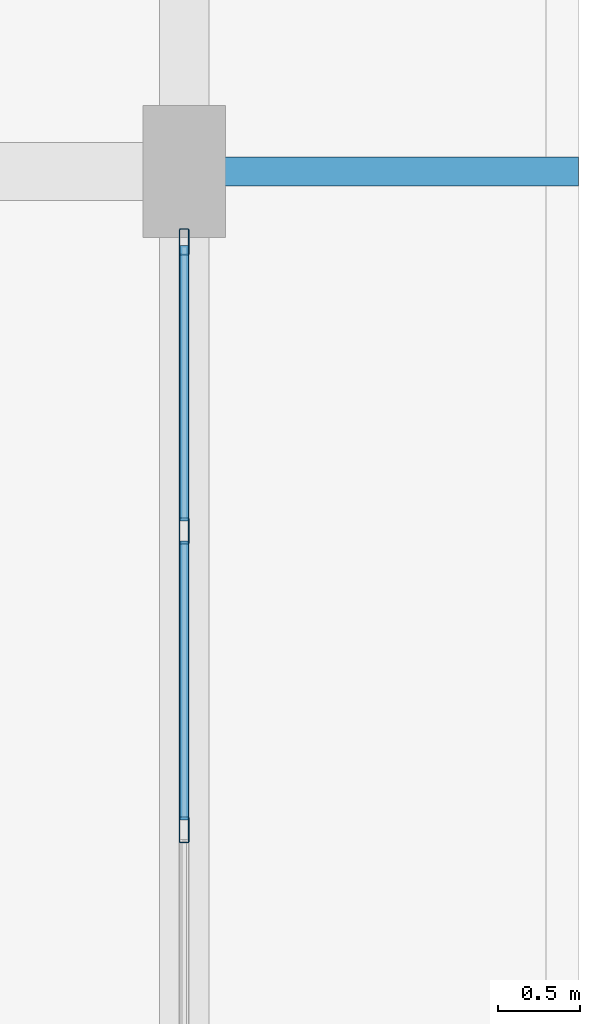
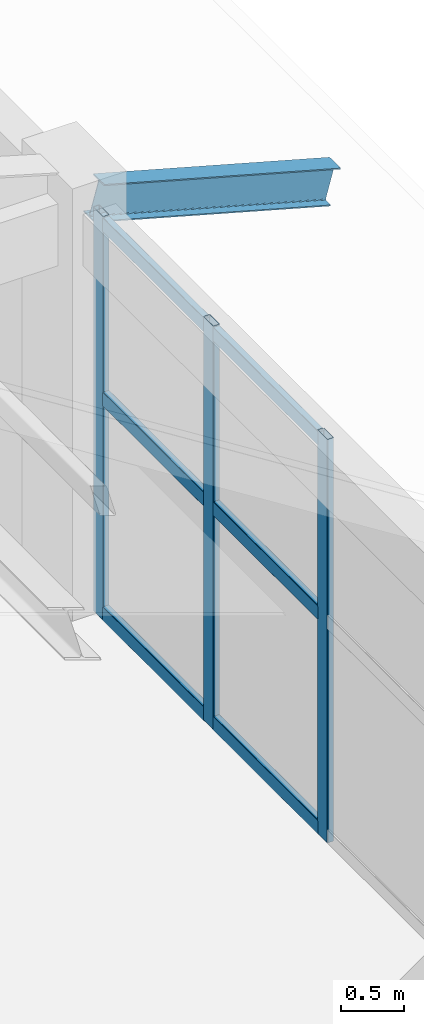
# One storey, part 31 of 58: 9 members, 1 beam, 1 element without a shape of its own.
"""IFC4 building model written with IfcOpenShell, lengths in metres."""

from ifc_helpers import new_model, si_unit, derived_unit, direction, frame, origin, origin_2d, place, context, subcontext, project, spatial, hollow_rectangle, i_section, extrude, material, material_profile, profile_set, type_object, element, aggregate, save


model = new_model("IFC4")

# Units and contexts
model_context = context("Model", 3, precision=1e-05, world=origin(), true_north=direction((0.0, 1.0)))
body_context = subcontext(model_context, "Body", "Model", "MODEL_VIEW")
ifc_project = project(units=[si_unit("LENGTHUNIT", "METRE"), si_unit("AREAUNIT", "SQUARE_METRE"), si_unit("VOLUMEUNIT", "CUBIC_METRE"), si_unit("PLANEANGLEUNIT", "RADIAN"), si_unit("MASSUNIT", "GRAM", prefix="KILO"), derived_unit("THERMALTRANSMITTANCEUNIT", [(si_unit("MASSUNIT", "GRAM", prefix="KILO"), 1), (si_unit("TIMEUNIT", "SECOND"), -3), (si_unit("THERMODYNAMICTEMPERATUREUNIT", "KELVIN"), -1)])], contexts=[model_context])

# Site, building, storey
site_placement = place(None, origin())
site = spatial("IfcSite", under=ifc_project, at=site_placement, CompositionType="ELEMENT")
building_placement = place(site_placement, origin())
building = spatial("IfcBuilding", under=site, at=building_placement, Name="Zhenchuan Archway Interchange", CompositionType="ELEMENT")
storey_placement = place(building_placement, frame((0.0, 0.0, 22.800048828125)))
storey = spatial("IfcBuildingStorey", under=building, at=storey_placement, Name="L05", CompositionType="ELEMENT", Elevation=22.800048828125)

# Beam
ifc_material_1 = material(Name="Steel Q355", Category="steel")
ifc_material_profile_1 = material_profile(ifc_material_1, i_section(OverallWidth=0.175048828125, OverallDepth=0.35009765625, WebThickness=0.007080078125, FlangeThickness=0.010986328125, FilletRadius=0.013916015625, at=origin_2d()), Name="HN 350x175")
ifc_profile_set_1 = profile_set([ifc_material_profile_1], Name="Steel Q355")
beam_type = type_object("IfcBeamType", Name="BM_STL_EAVE_HN350", PredefinedType="BEAM", material=ifc_profile_set_1)
beam_placement = place(storey_placement, frame((171.179931640625, 32.0, 3.719970703125), z_axis=(0.963829493521, 0.0, -0.266519619201), x_axis=(0.0, 1.0, 0.0)))
element("IfcBeam", 1, at=beam_placement, inside=storey, type_object=beam_type, Name="Command wing east storm-eave bracket T2", PredefinedType="BEAM", context=body_context, shape_type="SweptSolid", body=[
    extrude(i_section(OverallWidth=0.175048828125, OverallDepth=0.35009765625, WebThickness=0.007080078125, FlangeThickness=0.010986328125, FilletRadius=0.013916015625, at=origin_2d()), origin(), (0.0, 0.0, 1.0), 2.251708984375),
])

# Curtain wall, members
ifc_material_2 = material(Name="Anodised Aluminium", Category="aluminium")
curtain_wall_type = type_object("IfcCurtainWallType", Name="CW_UNIT_1", PredefinedType="NOTDEFINED", material=ifc_material_2)
curtain_wall_placement = place(storey_placement, origin())
curtain_wall = element("IfcCurtainWall", 2, at=curtain_wall_placement, inside=storey, type_object=curtain_wall_type, Name="Unitised curtain wall CW:L05:208", PredefinedType="NOTDEFINED")
ifc_material_profile_2 = material_profile(ifc_material_2, hollow_rectangle(XDim=0.06005859375, YDim=0.159912109375, WallThickness=0.00390625, InnerFilletRadius=0.00390625, OuterFilletRadius=0.008056640625, at=origin_2d()), Name="ALU 160x60x4")
ifc_profile_set_2 = profile_set([ifc_material_profile_2], Name="Anodised Aluminium")
member_type_1 = type_object("IfcMemberType", Name="CW_MUL_150", PredefinedType="MULLION", material=ifc_profile_set_2)
member_1_placement = place(storey_placement, frame((171.0, 31.572021484375, 0.0), z_axis=(0.0, 0.0, 1.0), x_axis=(1.0, 0.0, 0.0)))
member_1 = element("IfcMember", 3, at=member_1_placement, type_object=member_type_1, Name="CW:L05:208 mullion 0", PredefinedType="MULLION", context=body_context, shape_type="SweptSolid", body=[
    extrude(hollow_rectangle(XDim=0.06005859375, YDim=0.159912109375, WallThickness=0.00390625, InnerFilletRadius=0.00390625, OuterFilletRadius=0.008056640625, at=origin_2d()), origin(), (0.0, 0.0, 1.0), 3.919921875),
])
member_2_placement = place(storey_placement, frame((171.0, 29.81591796875, 0.0), z_axis=(0.0, 0.0, 1.0), x_axis=(1.0, 0.0, 0.0)))
member_2 = element("IfcMember", 4, at=member_2_placement, type_object=member_type_1, Name="CW:L05:208 mullion 1", PredefinedType="MULLION", context=body_context, shape_type="SweptSolid", body=[
    extrude(hollow_rectangle(XDim=0.06005859375, YDim=0.159912109375, WallThickness=0.00390625, InnerFilletRadius=0.00390625, OuterFilletRadius=0.008056640625, at=origin_2d()), origin(), (0.0, 0.0, 1.0), 3.919921875),
])
member_3_placement = place(storey_placement, frame((171.0, 28.0, 0.0), z_axis=(0.0, 0.0, 1.0), x_axis=(1.0, 0.0, 0.0)))
member_3 = element("IfcMember", 5, at=member_3_placement, type_object=member_type_1, Name="CW:L05:208 mullion 2", PredefinedType="MULLION", context=body_context, shape_type="SweptSolid", body=[
    extrude(hollow_rectangle(XDim=0.06005859375, YDim=0.159912109375, WallThickness=0.00390625, InnerFilletRadius=0.00390625, OuterFilletRadius=0.008056640625, at=origin_2d()), origin(), (0.0, 0.0, 1.0), 3.919921875),
])
ifc_material_profile_3 = material_profile(ifc_material_2, hollow_rectangle(XDim=0.06005859375, YDim=0.139892578125, WallThickness=0.00341796875, InnerFilletRadius=0.00341796875, OuterFilletRadius=0.007080078125, at=origin_2d()), Name="ALU 140x60x3.5")
ifc_profile_set_3 = profile_set([ifc_material_profile_3], Name="Anodised Aluminium")
member_type_2 = type_object("IfcMemberType", Name="CW_TRN_140", PredefinedType="USERDEFINED", material=ifc_profile_set_3)
member_4_placement = place(storey_placement, frame((171.0, 31.552001953125, 0.06005859375), z_axis=(0.0, -1.0, 0.0), x_axis=(1.0, 0.0, 0.0)))
member_4 = element("IfcMember", 6, at=member_4_placement, type_object=member_type_2, Name="CW:L05:208 transom 0-1", ObjectType="TRANSOM", PredefinedType="USERDEFINED", context=body_context, shape_type="SweptSolid", body=[
    extrude(hollow_rectangle(XDim=0.06005859375, YDim=0.139892578125, WallThickness=0.00341796875, InnerFilletRadius=0.00341796875, OuterFilletRadius=0.007080078125, at=origin_2d()), origin(), (0.0, 0.0, 1.0), 1.676025390625),
])
member_5_placement = place(storey_placement, frame((171.0, 31.552001953125, 2.14501953125), z_axis=(0.0, -1.0, 0.0), x_axis=(1.0, 0.0, 0.0)))
member_5 = element("IfcMember", 7, at=member_5_placement, type_object=member_type_2, Name="CW:L05:208 transom 0-2", ObjectType="TRANSOM", PredefinedType="USERDEFINED", context=body_context, shape_type="SweptSolid", body=[
    extrude(hollow_rectangle(XDim=0.06005859375, YDim=0.139892578125, WallThickness=0.00341796875, InnerFilletRadius=0.00341796875, OuterFilletRadius=0.007080078125, at=origin_2d()), origin(), (0.0, 0.0, 1.0), 1.676025390625),
])
member_6_placement = place(storey_placement, frame((171.0, 31.552001953125, 3.83984375), z_axis=(0.0, -1.0, 0.0), x_axis=(1.0, 0.0, 0.0)))
member_6 = element("IfcMember", 8, at=member_6_placement, type_object=member_type_2, Name="CW:L05:208 transom 0-3", ObjectType="TRANSOM", PredefinedType="USERDEFINED", context=body_context, shape_type="SweptSolid", body=[
    extrude(hollow_rectangle(XDim=0.06005859375, YDim=0.139892578125, WallThickness=0.00341796875, InnerFilletRadius=0.00341796875, OuterFilletRadius=0.007080078125, at=origin_2d()), origin(), (0.0, 0.0, 1.0), 1.676025390625),
])
member_7_placement = place(storey_placement, frame((171.0, 29.756103515625, 0.06005859375), z_axis=(0.0, -1.0, 0.0), x_axis=(1.0, 0.0, 0.0)))
member_7 = element("IfcMember", 9, at=member_7_placement, type_object=member_type_2, Name="CW:L05:208 transom 1-1", ObjectType="TRANSOM", PredefinedType="USERDEFINED", context=body_context, shape_type="SweptSolid", body=[
    extrude(hollow_rectangle(XDim=0.06005859375, YDim=0.139892578125, WallThickness=0.00341796875, InnerFilletRadius=0.00341796875, OuterFilletRadius=0.007080078125, at=origin_2d()), origin(), (0.0, 0.0, 1.0), 1.696044921875),
])
member_8_placement = place(storey_placement, frame((171.0, 29.756103515625, 2.14501953125), z_axis=(0.0, -1.0, 0.0), x_axis=(1.0, 0.0, 0.0)))
member_8 = element("IfcMember", 10, at=member_8_placement, type_object=member_type_2, Name="CW:L05:208 transom 1-2", ObjectType="TRANSOM", PredefinedType="USERDEFINED", context=body_context, shape_type="SweptSolid", body=[
    extrude(hollow_rectangle(XDim=0.06005859375, YDim=0.139892578125, WallThickness=0.00341796875, InnerFilletRadius=0.00341796875, OuterFilletRadius=0.007080078125, at=origin_2d()), origin(), (0.0, 0.0, 1.0), 1.696044921875),
])
member_9_placement = place(storey_placement, frame((171.0, 29.756103515625, 3.83984375), z_axis=(0.0, -1.0, 0.0), x_axis=(1.0, 0.0, 0.0)))
member_9 = element("IfcMember", 11, at=member_9_placement, type_object=member_type_2, Name="CW:L05:208 transom 1-3", ObjectType="TRANSOM", PredefinedType="USERDEFINED", context=body_context, shape_type="SweptSolid", body=[
    extrude(hollow_rectangle(XDim=0.06005859375, YDim=0.139892578125, WallThickness=0.00341796875, InnerFilletRadius=0.00341796875, OuterFilletRadius=0.007080078125, at=origin_2d()), origin(), (0.0, 0.0, 1.0), 1.696044921875),
])
aggregate(curtain_wall, [member_1, member_2, member_3, member_4, member_5, member_6, member_7, member_8, member_9])

save(model, "model.ifc")
